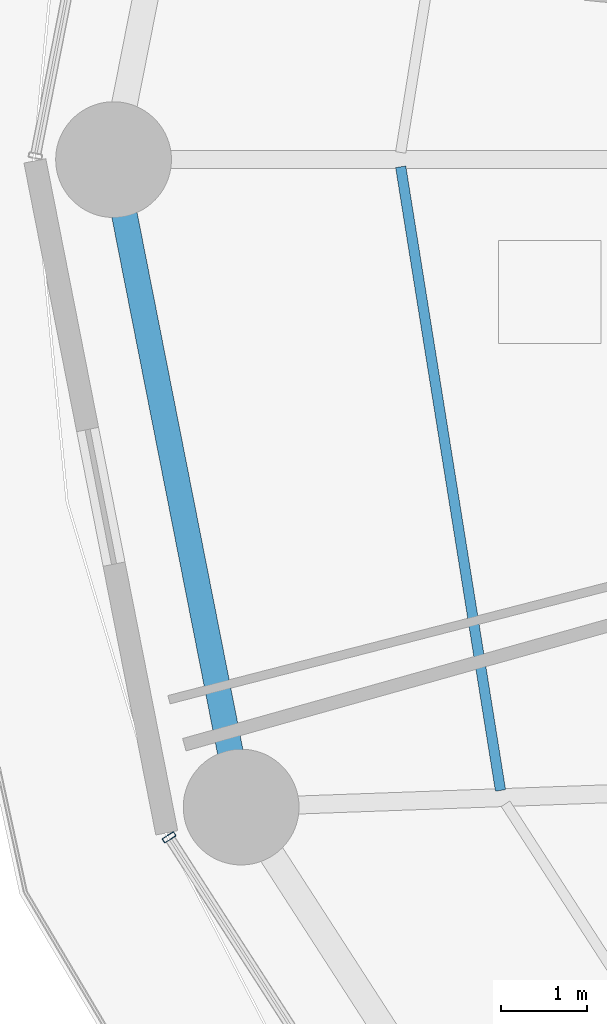
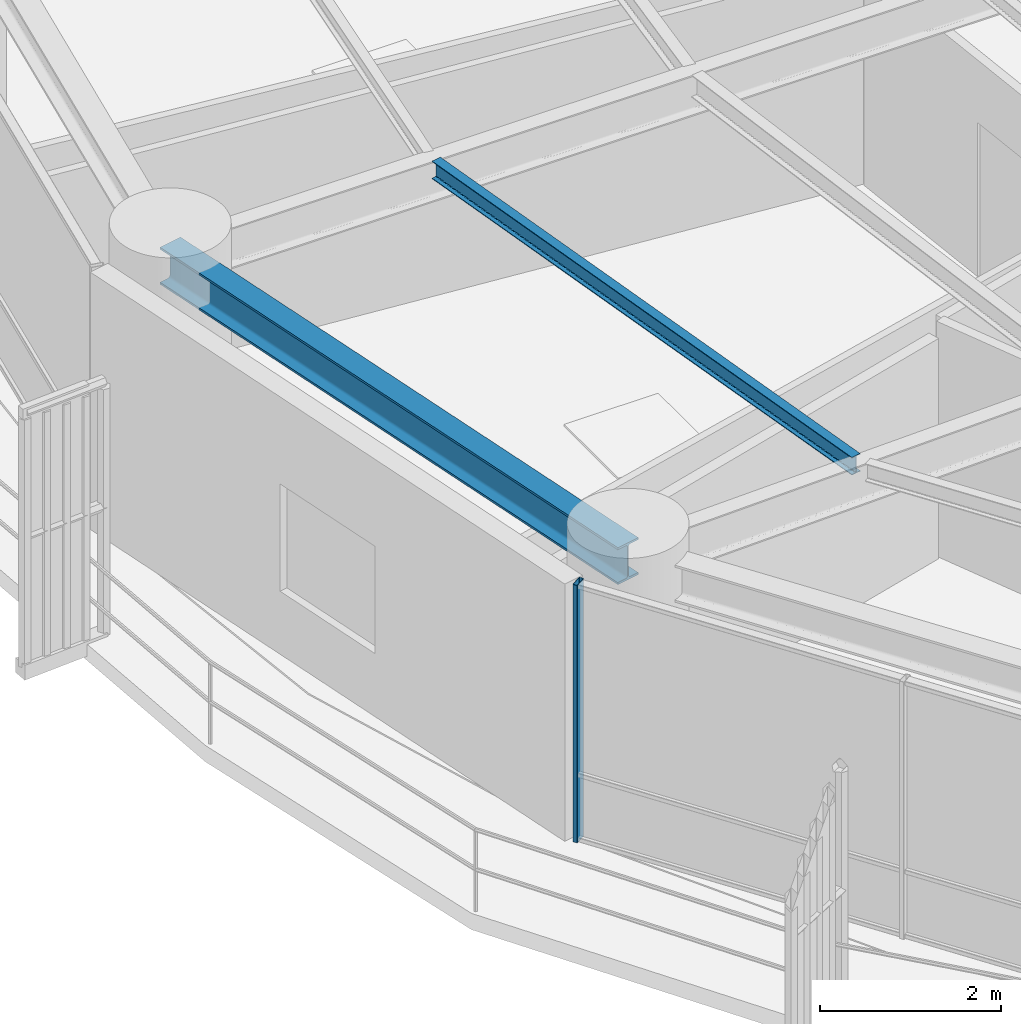
# One storey, part 6 of 36: 2 beams, 1 member, 1 element without a shape of its own.
"""IFC4 building model written with IfcOpenShell, lengths in metres."""

from ifc_helpers import new_model, si_unit, direction, frame, origin, origin_2d, place, context, subcontext, project, spatial, hollow_rectangle, i_section, extrude, material, layer, layer_set, material_profile, profile_set, type_object, element, aggregate, save


model = new_model("IFC4")

# Units and contexts
model_context = context("Model", 3, precision=1e-05, world=origin(), true_north=direction((0.0, 1.0)))
body_context = subcontext(model_context, "Body", "Model", "MODEL_VIEW")
ifc_project = project(units=[si_unit("LENGTHUNIT", "METRE"), si_unit("AREAUNIT", "SQUARE_METRE"), si_unit("VOLUMEUNIT", "CUBIC_METRE"), si_unit("PLANEANGLEUNIT", "RADIAN"), si_unit("MASSUNIT", "GRAM", prefix="KILO")], contexts=[model_context])

# Site, building, storey
site_placement = place(None, origin())
site = spatial("IfcSite", under=ifc_project, at=site_placement, CompositionType="ELEMENT")
building_placement = place(site_placement, origin())
building = spatial("IfcBuilding", under=site, at=building_placement, Name="Kelanora Arch Commons", CompositionType="ELEMENT")
storey_placement = place(building_placement, frame((0.0, 0.0, 102.60009765625)))
storey = spatial("IfcBuildingStorey", under=building, at=storey_placement, Name="L26", CompositionType="ELEMENT", Elevation=102.60009765625)

# Beams
ifc_material_1 = material(Name="Steel S355", Category="steel")
ifc_material_profile_1 = material_profile(ifc_material_1, i_section(OverallWidth=0.1201171875, OverallDepth=0.239990234375, WebThickness=0.006103515625, FlangeThickness=0.009765625, FilletRadius=0.014892578125, at=origin_2d()), Name="IPE240")
ifc_profile_set_1 = profile_set([ifc_material_profile_1], Name="Steel S355")
beam_type_1 = type_object("IfcBeamType", Name="BM-JST-02", PredefinedType="JOIST", material=ifc_profile_set_1)
beam_1_placement = place(storey_placement, frame((52.66943359375, 57.916015625, 3.369873046875), z_axis=(0.157999549894, -0.987439184068, 0.0), x_axis=(0.987439184068, 0.157999549894, 0.0)))
element("IfcBeam", 1, at=beam_1_placement, inside=storey, type_object=beam_type_1, Name="Secondary Chord Joist BJC-18 L26", PredefinedType="JOIST", context=body_context, shape_type="SweptSolid", body=[
    extrude(i_section(OverallWidth=0.1201171875, OverallDepth=0.239990234375, WebThickness=0.006103515625, FlangeThickness=0.009765625, FilletRadius=0.014892578125, at=origin_2d()), origin(), (0.0, 0.0, 1.0), 7.365966796875),
])
ifc_material_profile_2 = material_profile(ifc_material_1, i_section(OverallWidth=0.300048828125, OverallDepth=0.5, WebThickness=0.014404296875, FlangeThickness=0.028076171875, FilletRadius=0.027099609375, at=origin_2d()), Name="HEB500")
ifc_profile_set_2 = profile_set([ifc_material_profile_2], Name="Steel S355")
beam_type_2 = type_object("IfcBeamType", Name="BM-SPN-Z2", PredefinedType="SPANDREL", material=ifc_profile_set_2)
beam_2_placement = place(storey_placement, frame((49.320068359375, 58.0, 3.239990234375), z_axis=(0.19335825777, -0.981128220037, 0.0), x_axis=(0.981128220037, 0.19335825777, 0.0)))
element("IfcBeam", 2, at=beam_2_placement, inside=storey, type_object=beam_type_2, Name="Perimeter Spandrel Beam BS-18 L26", PredefinedType="SPANDREL", context=body_context, shape_type="SweptSolid", body=[
    extrude(i_section(OverallWidth=0.300048828125, OverallDepth=0.5, WebThickness=0.014404296875, FlangeThickness=0.028076171875, FilletRadius=0.027099609375, at=origin_2d()), origin(), (0.0, 0.0, 1.0), 7.697021484375),
])

# Curtain wall, member
ifc_material_2 = material(Name="Terracotta ceramic-fritted low-E glass and aluminium", Category="masonry")
ifc_layer = layer(ifc_material_2, 0.159912109375)
ifc_layer_set = layer_set([ifc_layer], Name="Terracotta ceramic-fritted low-E glass and aluminium")
curtain_wall_type = type_object("IfcCurtainWallType", Name="CW-SYS-01", PredefinedType="NOTDEFINED", material=ifc_layer_set)
curtain_wall_placement = place(storey_placement, origin())
curtain_wall = element("IfcCurtainWall", 3, at=curtain_wall_placement, inside=storey, type_object=curtain_wall_type, Name="Unitised Curtain Wall L26-B10", PredefinedType="NOTDEFINED")
ifc_material_3 = material(Name="Powder-coated aluminium terracotta", Category="masonry")
ifc_material_profile_3 = material_profile(ifc_material_3, hollow_rectangle(XDim=0.159912109375, YDim=0.06005859375, WallThickness=0.0048828125, InnerFilletRadius=0.0048828125, OuterFilletRadius=0.010009765625, at=origin_2d()), Name="CWM160x60")
ifc_profile_set_3 = profile_set([ifc_material_profile_3], Name="Powder-coated aluminium terracotta")
member_type = type_object("IfcMemberType", Name="CWM-STD", PredefinedType="MULLION", material=ifc_profile_set_3)
member_placement = place(storey_placement, frame((49.96826171875, 50.095703125, 0.0), z_axis=(0.0, 0.0, 1.0), x_axis=(0.841268883088, 0.540616931244, 0.0)))
member = element("IfcMember", 4, at=member_placement, type_object=member_type, Name="CW-01 mullion 1", PredefinedType="MULLION", context=body_context, shape_type="SweptSolid", body=[
    extrude(hollow_rectangle(XDim=0.159912109375, YDim=0.06005859375, WallThickness=0.0048828125, InnerFilletRadius=0.0048828125, OuterFilletRadius=0.010009765625, at=origin_2d()), origin(), (0.0, 0.0, 1.0), 3.474853515625),
])
aggregate(curtain_wall, [member])

save(model, "model.ifc")
